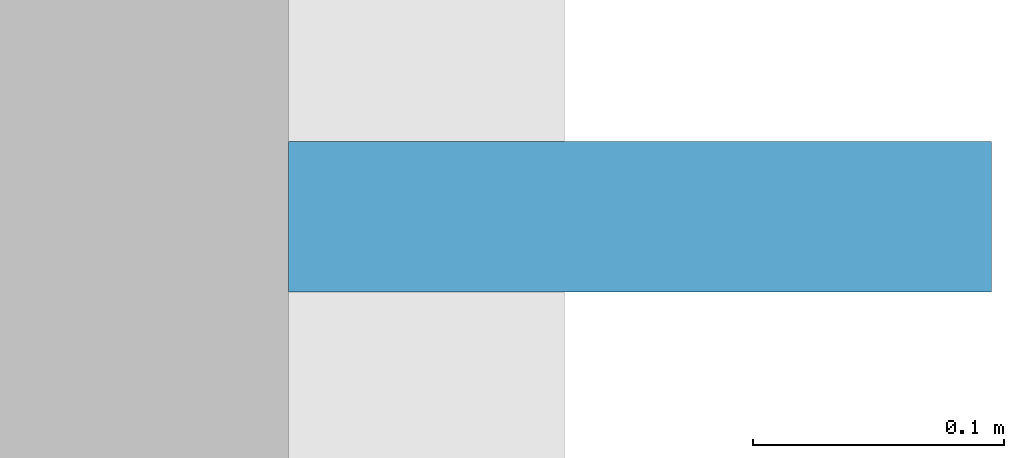
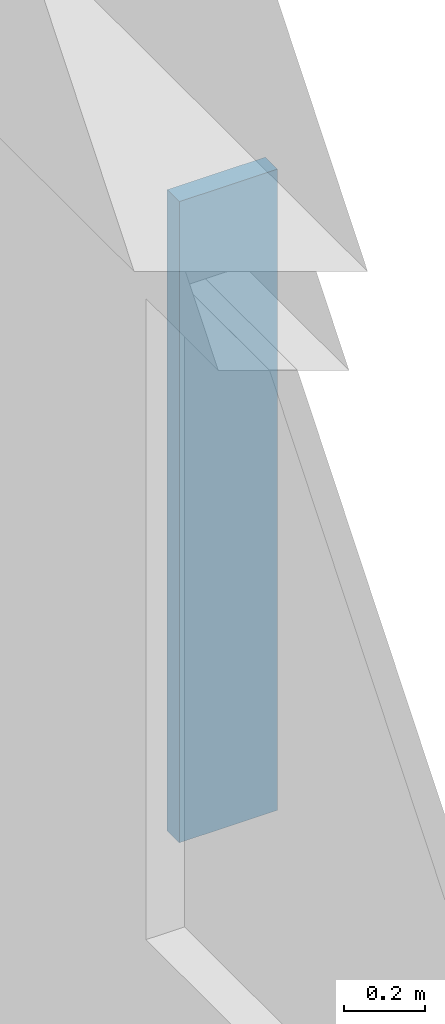
# One storey, part 8 of 13: 1 plate.
"""IFC4 building model written with IfcOpenShell, lengths in metres."""

from ifc_helpers import new_model, si_unit, direction, frame, origin, origin_2d, place, context, subcontext, project, spatial, rectangle, extrude, material, type_object, element, save


model = new_model("IFC4")

# Units and contexts
model_context = context("Model", 3, precision=1e-05, world=origin(), true_north=direction((0.0, 1.0)))
body_context = subcontext(model_context, "Body", "Model", "MODEL_VIEW")
ifc_project = project(units=[si_unit("LENGTHUNIT", "METRE"), si_unit("AREAUNIT", "SQUARE_METRE"), si_unit("VOLUMEUNIT", "CUBIC_METRE"), si_unit("PLANEANGLEUNIT", "RADIAN"), si_unit("MASSUNIT", "GRAM", prefix="KILO")], contexts=[model_context])

# Site, building, storey
site_placement = place(None, origin())
site = spatial("IfcSite", under=ifc_project, at=site_placement, CompositionType="ELEMENT")
building_placement = place(site_placement, origin())
building = spatial("IfcBuilding", under=site, at=building_placement, Name="Nhamokura Convention Tower", CompositionType="ELEMENT")
storey_placement = place(building_placement, frame((0.0, 0.0, 206.14990234375)))
storey = spatial("IfcBuildingStorey", under=building, at=storey_placement, Name="L50", CompositionType="ELEMENT", Elevation=206.14990234375)

# Plate
ifc_material = material(Name="Anodised bronze aluminium AA6063-T6", Category="aluminium")
plate_type = type_object("IfcPlateType", Name="BronzeSolarFin_2", PredefinedType="USERDEFINED", material=ifc_material)
plate_placement = place(storey_placement, frame((56.530029296875, 30.07080078125, 0.85009765625), z_axis=(0.0, 0.0, 1.0), x_axis=(1.0, 0.0, 0.0)))
element("IfcPlate", 1, at=plate_placement, inside=storey, type_object=plate_type, Name="L50 Bronze Solar Shading Fin EAST 2", ObjectType="SOLAR_FIN", PredefinedType="USERDEFINED", context=body_context, shape_type="SweptSolid", body=[
    extrude(rectangle(XDim=0.280029296875, YDim=0.06005859375, at=origin_2d()), origin(), (0.0, 0.0, 1.0), 1.93505859375),
])

save(model, "model.ifc")
